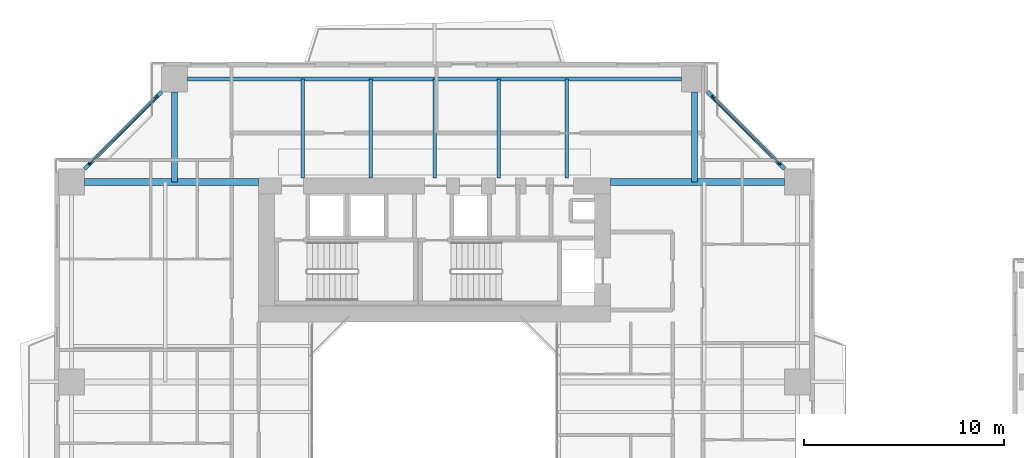
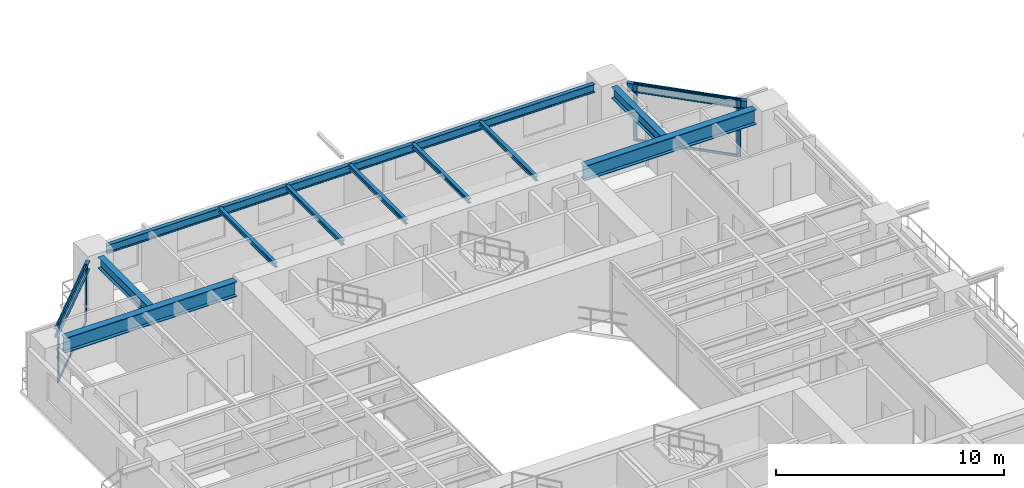
# One storey, part 10 of 23: 12 beams, 8 members, 2 elements without a shape of their own.
"""IFC4 building model written with IfcOpenShell, lengths in metres."""

import ifcopenshell
import ifcopenshell.guid

model = None  # the IFC model being written
_history = None  # IfcOwnerHistory: only IFC2X3 demands one
_inside = {}  # id of a spatial element -> (the spatial element, [elements in it])
_under = {}  # id of a project, library or spatial element -> (it, [spatial elements below it])
_declared = {}  # id of a project -> (the project, [libraries it declares])
_typed = {}  # id of a type object -> (the type object, [elements of that type])
_made_of = {}  # id of a material, layer set ... -> (it, [elements and type objects made of it])


def new_model(schema):
    """Start an empty IFC model of exactly this schema.

    Asked for "IFC4X3", IfcOpenShell would pick the latest addendum, in which some entities
    have other attributes; the version numbers below select the first issue.
    IFC2X3 requires an IfcOwnerHistory on every rooted entity: one is made here for all.
    """
    global model, _history
    if schema == "IFC4X3":
        model = ifcopenshell.file(schema_version=(4, 3, 0, 0))
    else:
        model = ifcopenshell.file(schema=schema)
    _inside.clear()
    _under.clear()
    _declared.clear()
    _typed.clear()
    _made_of.clear()
    _history = None
    if model.schema == "IFC2X3":
        org = make("IfcOrganization", Name="unknown")
        user = make(
            "IfcPersonAndOrganization",
            ThePerson=make("IfcPerson", FamilyName="unknown"),
            TheOrganization=org,
        )
        app = make(
            "IfcApplication",
            ApplicationDeveloper=org,
            Version="unknown",
            ApplicationFullName="unknown",
            ApplicationIdentifier="unknown",
        )
        _history = make(
            "IfcOwnerHistory",
            OwningUser=user,
            OwningApplication=app,
            ChangeAction="ADDED",
            CreationDate=0,
        )
    return model


def make(cls, **values):
    """One entity of the class cls with the attributes given. An attribute that is None is left unset."""
    return model.create_entity(
        cls, **{name: value for name, value in values.items() if value is not None}
    )


def rooted(cls, **values):
    """An entity with a GlobalId (a new one), such as an element, a storey or a relation."""
    return make(cls, GlobalId=ifcopenshell.guid.new(), OwnerHistory=_history, **values)


def si_unit(unit_type, name, prefix=None):
    """IfcSIUnit, for example si_unit("LENGTHUNIT", "METRE", prefix="MILLI")."""
    return make("IfcSIUnit", UnitType=unit_type, Prefix=prefix, Name=name)


def assignment(units):
    """IfcUnitAssignment: the units of a project."""
    return None if units is None else make("IfcUnitAssignment", Units=units)


def point(xyz):
    """IfcCartesianPoint."""
    return None if xyz is None else make("IfcCartesianPoint", Coordinates=xyz)


def direction(xyz):
    """IfcDirection."""
    return None if xyz is None else make("IfcDirection", DirectionRatios=xyz)


def frame(location, z_axis=None, x_axis=None):
    """IfcAxis2Placement3D, a coordinate frame: its origin and axes. An axis left out is left unset."""
    return make(
        "IfcAxis2Placement3D",
        Location=point(location),
        Axis=direction(z_axis),
        RefDirection=direction(x_axis),
    )


def frame_2d(location, x_axis=None):
    """IfcAxis2Placement2D, a coordinate frame in the plane: its origin and x axis."""
    return make(
        "IfcAxis2Placement2D", Location=point(location), RefDirection=direction(x_axis)
    )


def origin():
    """The frame at (0, 0, 0) with its axes left unset."""
    return frame((0.0, 0.0, 0.0))


def origin_2d():
    """The frame at (0, 0) in the plane with its x axis left unset."""
    return frame_2d((0.0, 0.0))


def place(relative_to, where):
    """IfcLocalPlacement: puts the frame where relative to a parent placement (None: the world)."""
    return make(
        "IfcLocalPlacement", PlacementRelTo=relative_to, RelativePlacement=where
    )


def context(
    kind, dimensions, precision=None, world=None, true_north=None, identifier=None
):
    """IfcGeometricRepresentationContext, for example the 3D "Model" context."""
    return make(
        "IfcGeometricRepresentationContext",
        ContextIdentifier=identifier,
        ContextType=kind,
        CoordinateSpaceDimension=dimensions,
        Precision=precision,
        WorldCoordinateSystem=world,
        TrueNorth=true_north,
    )


def subcontext(parent, identifier, kind, view, scale=None):
    """IfcGeometricRepresentationSubContext, for example "Body" below "Model"."""
    return make(
        "IfcGeometricRepresentationSubContext",
        ContextIdentifier=identifier,
        ContextType=kind,
        ParentContext=parent,
        TargetScale=scale,
        TargetView=view,
    )


def project(units=None, contexts=None):
    """IfcProject with its units and contexts."""
    return rooted(
        "IfcProject",
        Name="project",
        RepresentationContexts=contexts,
        UnitsInContext=assignment(units),
    )


def spatial(cls, under=None, at=None, **own):
    """A site, building, storey or space (cls), placed at a placement, below another one or the project."""
    s = rooted(cls, ObjectPlacement=at, **own)
    if under is not None:
        _under.setdefault(under.id(), (under, []))[1].append(s)
    return s


def profile(cls, at=None, kind="AREA", **sizes):
    """A parametric profile (cls). Its sizes go by their IFC names, for example OverallWidth=200.0."""
    return make(cls, ProfileType=kind, Position=at, **sizes)


def rectangle(**sizes):
    """IfcRectangleProfileDef."""
    return profile("IfcRectangleProfileDef", **sizes)


def i_section(**sizes):
    """IfcIShapeProfileDef."""
    return profile("IfcIShapeProfileDef", **sizes)


def extrude(swept, where, along, depth):
    """IfcExtrudedAreaSolid: the profile swept, set in the frame where, extruded along a direction by depth."""
    return make(
        "IfcExtrudedAreaSolid",
        SweptArea=swept,
        Position=where,
        ExtrudedDirection=direction(along),
        Depth=depth,
    )


def shape(context_of_items, identifier, shape_type, items):
    """IfcShapeRepresentation: the items that make up one representation, for example the "Body"."""
    return make(
        "IfcShapeRepresentation",
        ContextOfItems=context_of_items,
        RepresentationIdentifier=identifier,
        RepresentationType=shape_type,
        Items=items,
    )


def source(mapping_origin, context_of_items, identifier, shape_type, items):
    """IfcRepresentationMap: a shape defined once, which mapped items show again and again."""
    return make(
        "IfcRepresentationMap",
        MappingOrigin=mapping_origin,
        MappedRepresentation=shape(context_of_items, identifier, shape_type, items),
    )


def transform(
    local_origin,
    x_axis=None,
    y_axis=None,
    z_axis=None,
    scale=None,
    scale2=None,
    scale3=None,
    uniform=True,
):
    """IfcCartesianTransformationOperator3D, or its non-uniform kind. x_axis, y_axis, z_axis: its Axis1, 2, 3."""
    if uniform:
        return make(
            "IfcCartesianTransformationOperator3D",
            Axis1=direction(x_axis),
            Axis2=direction(y_axis),
            LocalOrigin=point(local_origin),
            Scale=scale,
            Axis3=direction(z_axis),
        )
    return make(
        "IfcCartesianTransformationOperator3DnonUniform",
        Axis1=direction(x_axis),
        Axis2=direction(y_axis),
        LocalOrigin=point(local_origin),
        Scale=scale,
        Axis3=direction(z_axis),
        Scale2=scale2,
        Scale3=scale3,
    )


def mapped(mapping_source, mapping_target):
    """IfcMappedItem: shows the shape of a source again, moved by a transform."""
    return make(
        "IfcMappedItem", MappingSource=mapping_source, MappingTarget=mapping_target
    )


def material(Name=None, Category=None):
    """IfcMaterial."""
    return make("IfcMaterial", Name=Name, Category=Category)


def layer(
    of_material, thickness, ventilated=None, Name=None, Category=None, Priority=None
):
    """IfcMaterialLayer: one layer of a wall or slab, of a material (None: an air gap)."""
    return make(
        "IfcMaterialLayer",
        Material=of_material,
        LayerThickness=thickness,
        IsVentilated=ventilated,
        Name=Name,
        Category=Category,
        Priority=Priority,
    )


def layer_set(layers, Name=None):
    """IfcMaterialLayerSet."""
    return make("IfcMaterialLayerSet", MaterialLayers=layers, LayerSetName=Name)


def material_profile(
    of_material, cross_section, Name=None, Category=None, Priority=None
):
    """IfcMaterialProfile: a cross section and its material."""
    return make(
        "IfcMaterialProfile",
        Name=Name,
        Material=of_material,
        Profile=cross_section,
        Priority=Priority,
        Category=Category,
    )


def profile_set(profiles, Name=None, composite=None):
    """IfcMaterialProfileSet."""
    return make(
        "IfcMaterialProfileSet",
        Name=Name,
        MaterialProfiles=profiles,
        CompositeProfile=composite,
    )


def made_of(thing, what):
    """Note that an element or type object is made of a material, layer set ...; save() writes the relation."""
    if what is not None:
        _made_of.setdefault(what.id(), (what, []))[1].append(thing)
    return thing


def type_object(cls, material=None, **own):
    """A type object (cls), such as IfcWallType, which elements share."""
    return made_of(rooted(cls, **own), material)


def element(
    cls,
    number,
    at=None,
    inside=None,
    cuts=None,
    type_object=None,
    material=None,
    context=None,
    identifier="Body",
    shape_type=None,
    held_by="IfcProductDefinitionShape",
    body=None,
    shapes=None,
    **own,
):
    """One element of the class cls, such as IfcWall. Its Tag is "e" and its number.

    at: its placement. inside: the storey or other place that contains it. cuts: it is an
    opening in that element (IfcRelVoidsElement). A single representation is given by context,
    identifier, shape_type and body (its items); several are given by shapes. held_by: the class
    of the entity that holds the representations. save() writes the other relations.
    """
    e = rooted(cls, Tag="e%d" % number, ObjectPlacement=at, **own)
    if body is not None:
        shapes = [shape(context, identifier, shape_type, body)]
    if shapes is not None:
        e.Representation = make(held_by, Representations=shapes)
    if inside is not None:
        _inside.setdefault(inside.id(), (inside, []))[1].append(e)
    if cuts is not None:
        rooted(
            "IfcRelVoidsElement", RelatingBuildingElement=cuts, RelatedOpeningElement=e
        )
    if type_object is not None:
        _typed.setdefault(type_object.id(), (type_object, []))[1].append(e)
    return made_of(e, material)


def aggregate(whole, parts):
    """IfcRelAggregates: a whole, such as a stair, and the parts it consists of."""
    return rooted("IfcRelAggregates", RelatingObject=whole, RelatedObjects=parts)


def save(model, path):
    """Write the relations noted so far, then the file.

    IfcRelAggregates (storeys below a building ...), IfcRelContainedInSpatialStructure (elements
    in a storey), IfcRelDefinesByType, IfcRelAssociatesMaterial and IfcRelDeclares: one each for
    every whole, place, type object, material and project.
    """
    for whole, parts in _under.values():
        aggregate(whole, parts)
    for where, things in _inside.values():
        rooted(
            "IfcRelContainedInSpatialStructure",
            RelatedElements=things,
            RelatingStructure=where,
        )
    for kind, things in _typed.values():
        rooted("IfcRelDefinesByType", RelatedObjects=things, RelatingType=kind)
    for what, things in _made_of.values():
        rooted("IfcRelAssociatesMaterial", RelatedObjects=things, RelatingMaterial=what)
    for by, libraries in _declared.values():
        rooted("IfcRelDeclares", RelatingContext=by, RelatedDefinitions=libraries)
    model.write(path)


model = new_model("IFC4")

# Units and contexts
model_context = context("Model", 3, precision=1e-05, world=origin(), true_north=direction((0.0, 1.0)))
body_context = subcontext(model_context, "Body", "Model", "MODEL_VIEW")
ifc_project = project(units=[si_unit("LENGTHUNIT", "METRE"), si_unit("AREAUNIT", "SQUARE_METRE"), si_unit("VOLUMEUNIT", "CUBIC_METRE"), si_unit("PLANEANGLEUNIT", "RADIAN"), si_unit("MASSUNIT", "GRAM", prefix="KILO"), si_unit("THERMODYNAMICTEMPERATUREUNIT", "KELVIN"), si_unit("POWERUNIT", "WATT")], contexts=[model_context])

# Site, building, storey
site_placement = place(None, origin())
site = spatial("IfcSite", under=ifc_project, at=site_placement, CompositionType="ELEMENT")
building_placement = place(site_placement, origin())
building = spatial("IfcBuilding", under=site, at=building_placement, Name="Qiaomeng Ring Towers", CompositionType="ELEMENT")
storey_placement = place(building_placement, frame((0.0, 0.0, 79.5)))
storey = spatial("IfcBuildingStorey", under=building, at=storey_placement, Name="L22", CompositionType="ELEMENT", Elevation=79.5)

# Beams
ifc_material_1 = material(Name="Steel Q355B", Category="steel")
ifc_material_profile_1 = material_profile(ifc_material_1, i_section(OverallWidth=0.199951171875, OverallDepth=0.449951171875, WebThickness=0.009033203125, FlangeThickness=0.013916015625, FilletRadius=0.01806640625, at=origin_2d()), Name="HN 450x200x9x14")
ifc_profile_set_1 = profile_set([ifc_material_profile_1], Name="Steel Q355B")
beam_type_1 = type_object("IfcBeamType", Name="STR-BM-HN450", PredefinedType="SPANDREL", material=ifc_profile_set_1)
shared_shape_1 = source(origin(), body_context, "Body", "SweptSolid", [
    extrude(i_section(OverallWidth=0.199951171875, OverallDepth=0.449951171875, WebThickness=0.009033203125, FlangeThickness=0.013916015625, FilletRadius=0.01806640625, at=origin_2d()), origin(), (0.0, 0.0, 1.0), 24.7021484375),
])
beam_placement = place(storey_placement, frame((31.35107421875, 41.14990234375, 2.844970703125), z_axis=(-1.0, 0.0, 0.0), x_axis=(0.0, -1.0, 0.0)))
element("IfcBeam", 1, at=beam_placement, inside=storey, type_object=beam_type_1, Name="L22 beam STR-SP-L22-T1-N2-N1", PredefinedType="SPANDREL", context=body_context, shape_type="MappedRepresentation", body=[
    mapped(shared_shape_1, transform((0.0, 0.0, 0.0), x_axis=(1.0, 0.0, 0.0), y_axis=(0.0, 1.0, 0.0), z_axis=(0.0, 0.0, 1.0), scale=1.0)),
])
shared_shape_2 = source(origin(), body_context, "Body", "SweptSolid", [
    extrude(i_section(OverallWidth=0.199951171875, OverallDepth=0.449951171875, WebThickness=0.009033203125, FlangeThickness=0.013916015625, FilletRadius=0.01806640625, at=origin_2d()), origin(), (0.0, 0.0, 1.0), 5.446533203125),
])
for number, where, z_axis, x_axis, name in (
    (2, (36.500732421875, 36.6494140625, 2.844970703125), (-0.707106781187, 0.707106781187, 0.0), (-0.707106781187, -0.707106781187, 0.0), "L22 beam STR-SP-L22-T1-E4-N2"),
    (3, (5.3505859375, 40.500732421875, 2.844970703125), (-0.707106781187, -0.707106781187, 0.0), (0.707106781187, -0.707106781187, 0.0), "L22 beam STR-SP-L22-T1-N1-W4"),
):
    element("IfcBeam", number, at=place(storey_placement, frame(where, z_axis=z_axis, x_axis=x_axis)), inside=storey, type_object=beam_type_1, Name=name, PredefinedType="SPANDREL", context=body_context, shape_type="MappedRepresentation", body=[
        mapped(shared_shape_2, transform((0.0, 0.0, 0.0), x_axis=(1.0, 0.0, 0.0), y_axis=(0.0, 1.0, 0.0), z_axis=(0.0, 0.0, 1.0), scale=1.0)),
    ])
ifc_material_2 = material(Name="Steel Q390GJC", Category="steel")
ifc_material_profile_2 = material_profile(ifc_material_2, i_section(OverallWidth=0.35009765625, OverallDepth=0.800048828125, WebThickness=0.01611328125, FlangeThickness=0.028076171875, at=origin_2d()), Name="WH 800x350x16x28")
ifc_profile_set_2 = profile_set([ifc_material_profile_2], Name="Steel Q390GJC")
beam_type_2 = type_object("IfcBeamType", Name="STR-BM-WH800", PredefinedType="BEAM", material=ifc_profile_set_2)
shared_shape_3 = source(origin(), body_context, "Body", "SweptSolid", [
    extrude(i_section(OverallWidth=0.35009765625, OverallDepth=0.800048828125, WebThickness=0.01611328125, FlangeThickness=0.028076171875, at=origin_2d()), origin(), (0.0, 0.0, 1.0), 8.700927734375),
])
for number, where, z_axis, x_axis, name in (
    (4, (1.4990234375, 36.0, 2.669921875), (1.0, 0.0, 0.0), (0.0, 1.0, 0.0), "L22 beam STR-BM-L22-T1-RAD-W4"),
    (5, (27.800048828125, 36.0, 2.669921875), (1.0, 0.0, 0.0), (0.0, 1.0, 0.0), "L22 beam STR-BM-L22-T1-RAD-E4"),
):
    element("IfcBeam", number, at=place(storey_placement, frame(where, z_axis=z_axis, x_axis=x_axis)), inside=storey, type_object=beam_type_2, Name=name, PredefinedType="BEAM", context=body_context, shape_type="MappedRepresentation", body=[
        mapped(shared_shape_3, transform((0.0, 0.0, 0.0), x_axis=(1.0, 0.0, 0.0), y_axis=(0.0, 1.0, 0.0), z_axis=(0.0, 0.0, 1.0), scale=1.0)),
    ])
ifc_material_profile_3 = material_profile(ifc_material_1, i_section(OverallWidth=0.300048828125, OverallDepth=0.587890625, WebThickness=0.011962890625, FlangeThickness=0.02001953125, FilletRadius=0.028076171875, at=origin_2d()), Name="HM 588x300x12x20")
ifc_profile_set_3 = profile_set([ifc_material_profile_3], Name="Steel Q355B")
beam_type_3 = type_object("IfcBeamType", Name="STR-BM-HM588", PredefinedType="BEAM", material=ifc_profile_set_3)
shared_shape_4 = source(origin(), body_context, "Body", "SweptSolid", [
    extrude(i_section(OverallWidth=0.300048828125, OverallDepth=0.587890625, WebThickness=0.011962890625, FlangeThickness=0.02001953125, FilletRadius=0.028076171875, at=origin_2d()), origin(), (0.0, 0.0, 1.0), 4.5009765625),
])
for number, where, z_axis, x_axis, name in (
    (6, (6.0, 40.5009765625, 2.77587890625), (0.0, -1.0, 0.0), (1.0, 0.0, 0.0), "L22 beam STR-BM-L22-T1-RAD-N1"),
    (7, (32.0, 40.5009765625, 2.77587890625), (0.0, -1.0, 0.0), (1.0, 0.0, 0.0), "L22 beam STR-BM-L22-T1-RAD-N2"),
):
    element("IfcBeam", number, at=place(storey_placement, frame(where, z_axis=z_axis, x_axis=x_axis)), inside=storey, type_object=beam_type_3, Name=name, PredefinedType="BEAM", context=body_context, shape_type="MappedRepresentation", body=[
        mapped(shared_shape_4, transform((0.0, 0.0, 0.0), x_axis=(1.0, 0.0, 0.0), y_axis=(0.0, 1.0, 0.0), z_axis=(0.0, 0.0, 1.0), scale=1.0)),
    ])
ifc_material_profile_4 = material_profile(ifc_material_1, i_section(OverallWidth=0.175048828125, OverallDepth=0.243896484375, WebThickness=0.007080078125, FlangeThickness=0.010986328125, FilletRadius=0.01611328125, at=origin_2d()), Name="HM 244x175x7x11")
ifc_profile_set_4 = profile_set([ifc_material_profile_4], Name="Steel Q355B")
beam_type_4 = type_object("IfcBeamType", Name="STR-BM-HM244", PredefinedType="JOIST", material=ifc_profile_set_4)
shared_shape_5 = source(origin(), body_context, "Body", "SweptSolid", [
    extrude(i_section(OverallWidth=0.175048828125, OverallDepth=0.243896484375, WebThickness=0.007080078125, FlangeThickness=0.010986328125, FilletRadius=0.01611328125, at=origin_2d()), origin(), (0.0, 0.0, 1.0), 4.949951171875),
])
for number, where, z_axis, x_axis, name in (
    (8, (12.39990234375, 36.199951171875, 2.947998046875), (0.0, 1.0, 0.0), (-1.0, 0.0, 0.0), "L22 beam STR-JST-L22-T1N-1"),
    (9, (15.800048828125, 36.199951171875, 2.947998046875), (0.0, 1.0, 0.0), (-1.0, 0.0, 0.0), "L22 beam STR-JST-L22-T1N-2"),
    (10, (19.0, 36.199951171875, 2.947998046875), (0.0, 1.0, 0.0), (-1.0, 0.0, 0.0), "L22 beam STR-JST-L22-T1N-3"),
    (11, (22.199951171875, 36.199951171875, 2.947998046875), (0.0, 1.0, 0.0), (-1.0, 0.0, 0.0), "L22 beam STR-JST-L22-T1N-4"),
    (12, (25.60009765625, 36.199951171875, 2.947998046875), (0.0, 1.0, 0.0), (-1.0, 0.0, 0.0), "L22 beam STR-JST-L22-T1N-5"),
):
    element("IfcBeam", number, at=place(storey_placement, frame(where, z_axis=z_axis, x_axis=x_axis)), inside=storey, type_object=beam_type_4, Name=name, PredefinedType="JOIST", context=body_context, shape_type="MappedRepresentation", body=[
        mapped(shared_shape_5, transform((0.0, 0.0, 0.0), x_axis=(1.0, 0.0, 0.0), y_axis=(0.0, 1.0, 0.0), z_axis=(0.0, 0.0, 1.0), scale=1.0)),
    ])

# Curtain wall, members
ifc_material_3 = material(Name="Fluorocarbon dark-grey aluminium", Category="aluminium")
ifc_layer = layer(ifc_material_3, 0.159912109375, Name="Fluorocarbon dark-grey aluminium")
ifc_layer_set = layer_set([ifc_layer], Name="Fluorocarbon dark-grey aluminium")
curtain_wall_type = type_object("IfcCurtainWallType", Name="ARC-CW-2", PredefinedType="NOTDEFINED", material=ifc_layer_set)
curtain_wall_1_placement = place(storey_placement, origin())
curtain_wall_1 = element("IfcCurtainWall", 13, at=curtain_wall_1_placement, inside=storey, type_object=curtain_wall_type, Name="L22 Curtain Wall CW2", PredefinedType="NOTDEFINED")
ifc_material_profile_5 = material_profile(ifc_material_3, rectangle(XDim=0.070068359375, YDim=0.179931640625, at=origin_2d()), Name="ALU MULL 70x180")
ifc_profile_set_5 = profile_set([ifc_material_profile_5], Name="Fluorocarbon dark-grey aluminium")
member_type_1 = type_object("IfcMemberType", Name="ARC-CWM-160", PredefinedType="MULLION", material=ifc_profile_set_5)
shared_shape_6 = source(origin(), body_context, "Body", "SweptSolid", [
    extrude(rectangle(XDim=0.070068359375, YDim=0.179931640625, at=origin_2d()), origin(), (0.0, 0.0, 1.0), 3.070068359375),
])
member_1_placement = place(storey_placement, frame((36.2353515625, 36.914794921875, 0.0), z_axis=(0.0, 0.0, 1.0), x_axis=(-0.707106781187, -0.707106781187, 0.0)))
member_1 = element("IfcMember", 14, at=member_1_placement, type_object=member_type_1, Name="CW2 mullion 1", PredefinedType="MULLION", context=body_context, shape_type="MappedRepresentation", body=[
    mapped(shared_shape_6, transform((0.0, 0.0, 0.0), x_axis=(1.0, 0.0, 0.0), y_axis=(0.0, 1.0, 0.0), z_axis=(0.0, 0.0, 1.0), scale=1.0)),
])
member_2_placement = place(storey_placement, frame((32.914794921875, 40.2353515625, 0.0), z_axis=(0.0, 0.0, 1.0), x_axis=(-0.707106781187, -0.707106781187, 0.0)))
member_2 = element("IfcMember", 15, at=member_2_placement, type_object=member_type_1, Name="CW2 mullion 2", PredefinedType="MULLION", context=body_context, shape_type="MappedRepresentation", body=[
    mapped(shared_shape_6, transform((0.0, 0.0, 0.0), x_axis=(1.0, 0.0, 0.0), y_axis=(0.0, 1.0, 0.0), z_axis=(0.0, 0.0, 1.0), scale=1.0)),
])

curtain_wall_2_placement = place(storey_placement, origin())
curtain_wall_2 = element("IfcCurtainWall", 16, at=curtain_wall_2_placement, inside=storey, type_object=curtain_wall_type, Name="L22 Curtain Wall CW2", PredefinedType="NOTDEFINED")
member_3_placement = place(storey_placement, frame((5.085205078125, 40.2353515625, 0.0), z_axis=(0.0, 0.0, 1.0), x_axis=(0.707106781187, -0.707106781187, 0.0)))
member_3 = element("IfcMember", 17, at=member_3_placement, type_object=member_type_1, Name="CW2 mullion 1", PredefinedType="MULLION", context=body_context, shape_type="MappedRepresentation", body=[
    mapped(shared_shape_6, transform((0.0, 0.0, 0.0), x_axis=(1.0, 0.0, 0.0), y_axis=(0.0, 1.0, 0.0), z_axis=(0.0, 0.0, 1.0), scale=1.0)),
])
member_4_placement = place(storey_placement, frame((1.7646484375, 36.914794921875, 0.0), z_axis=(0.0, 0.0, 1.0), x_axis=(0.707106781187, -0.707106781187, 0.0)))
member_4 = element("IfcMember", 18, at=member_4_placement, type_object=member_type_1, Name="CW2 mullion 2", PredefinedType="MULLION", context=body_context, shape_type="MappedRepresentation", body=[
    mapped(shared_shape_6, transform((0.0, 0.0, 0.0), x_axis=(1.0, 0.0, 0.0), y_axis=(0.0, 1.0, 0.0), z_axis=(0.0, 0.0, 1.0), scale=1.0)),
])

# Member
ifc_material_profile_6 = material_profile(ifc_material_3, rectangle(XDim=0.06494140625, YDim=0.1298828125, at=origin_2d()), Name="ALU TRAN 65x130")
ifc_profile_set_6 = profile_set([ifc_material_profile_6], Name="Fluorocarbon dark-grey aluminium")
member_type_2 = type_object("IfcMemberType", Name="ARC-CWT-120", PredefinedType="USERDEFINED", material=ifc_profile_set_6)
shared_shape_7 = source(origin(), body_context, "Body", "SweptSolid", [
    extrude(rectangle(XDim=0.06494140625, YDim=0.1298828125, at=origin_2d()), origin(), (0.0, 0.0, 1.0), 4.6259765625),
])
member_5_placement = place(storey_placement, frame((36.21044921875, 36.939453125, 0.032470703125), z_axis=(-0.707106781187, 0.707106781187, 0.0), x_axis=(-0.707106781187, -0.707106781187, 0.0)))
member_5 = element("IfcMember", 19, at=member_5_placement, type_object=member_type_2, Name="CW2 transom 1.1", ObjectType="TRANSOM", PredefinedType="USERDEFINED", context=body_context, shape_type="MappedRepresentation", body=[
    mapped(shared_shape_7, transform((0.0, 0.0, 0.0), x_axis=(1.0, 0.0, 0.0), y_axis=(0.0, 1.0, 0.0), z_axis=(0.0, 0.0, 1.0), scale=1.0)),
])

member_6_placement = place(storey_placement, frame((36.21044921875, 36.939453125, 3.03759765625), z_axis=(-0.707106781187, 0.707106781187, 0.0), x_axis=(-0.707106781187, -0.707106781187, 0.0)))
member_6 = element("IfcMember", 20, at=member_6_placement, type_object=member_type_2, Name="CW2 transom 1.2", ObjectType="TRANSOM", PredefinedType="USERDEFINED", context=body_context, shape_type="MappedRepresentation", body=[
    mapped(shared_shape_7, transform((0.0, 0.0, 0.0), x_axis=(1.0, 0.0, 0.0), y_axis=(0.0, 1.0, 0.0), z_axis=(0.0, 0.0, 1.0), scale=1.0)),
])

aggregate(curtain_wall_1, [member_1, member_2, member_5, member_6])

member_7_placement = place(storey_placement, frame((5.060546875, 40.21044921875, 0.032470703125), z_axis=(-0.707106781187, -0.707106781187, 0.0), x_axis=(0.707106781187, -0.707106781187, 0.0)))
member_7 = element("IfcMember", 21, at=member_7_placement, type_object=member_type_2, Name="CW2 transom 1.1", ObjectType="TRANSOM", PredefinedType="USERDEFINED", context=body_context, shape_type="MappedRepresentation", body=[
    mapped(shared_shape_7, transform((0.0, 0.0, 0.0), x_axis=(1.0, 0.0, 0.0), y_axis=(0.0, 1.0, 0.0), z_axis=(0.0, 0.0, 1.0), scale=1.0)),
])

member_8_placement = place(storey_placement, frame((5.060546875, 40.21044921875, 3.03759765625), z_axis=(-0.707106781187, -0.707106781187, 0.0), x_axis=(0.707106781187, -0.707106781187, 0.0)))
member_8 = element("IfcMember", 22, at=member_8_placement, type_object=member_type_2, Name="CW2 transom 1.2", ObjectType="TRANSOM", PredefinedType="USERDEFINED", context=body_context, shape_type="MappedRepresentation", body=[
    mapped(shared_shape_7, transform((0.0, 0.0, 0.0), x_axis=(1.0, 0.0, 0.0), y_axis=(0.0, 1.0, 0.0), z_axis=(0.0, 0.0, 1.0), scale=1.0)),
])

aggregate(curtain_wall_2, [member_3, member_4, member_7, member_8])

save(model, "model.ifc")
